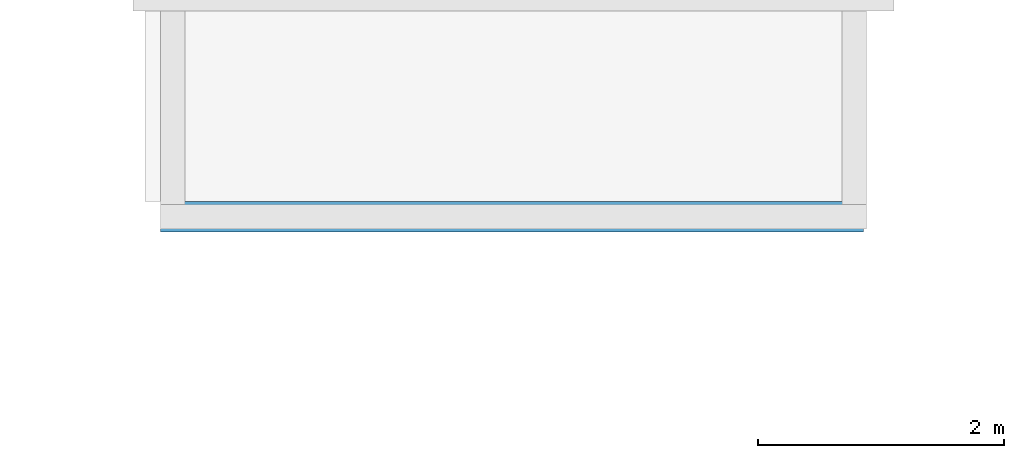
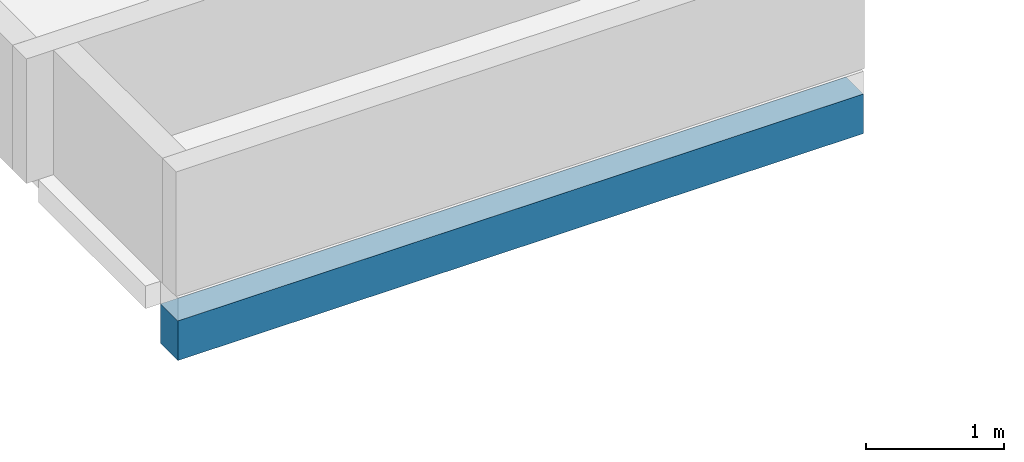
# One storey, part 12 of 41: 1 beam.
"""IFC4 building model written with IfcOpenShell, lengths in metres."""

from ifc_helpers import new_model, si_unit, direction, frame, origin, origin_2d, place, context, subcontext, project, spatial, rectangle, extrude, material, material_profile, profile_set, type_object, element, save


model = new_model("IFC4")

# Units and contexts
model_context = context("Model", 3, precision=1e-05, world=origin(), true_north=direction((0.0, 1.0)))
body_context = subcontext(model_context, "Body", "Model", "MODEL_VIEW")
ifc_project = project(units=[si_unit("LENGTHUNIT", "METRE"), si_unit("AREAUNIT", "SQUARE_METRE"), si_unit("VOLUMEUNIT", "CUBIC_METRE"), si_unit("PLANEANGLEUNIT", "RADIAN"), si_unit("MASSUNIT", "GRAM", prefix="KILO")], contexts=[model_context])

# Site, building, storey
site_placement = place(None, origin())
site = spatial("IfcSite", under=ifc_project, at=site_placement, CompositionType="ELEMENT")
building_placement = place(site_placement, origin())
building = spatial("IfcBuilding", under=site, at=building_placement, Name="Ridgestep Commons", CompositionType="ELEMENT")
storey_placement = place(building_placement, frame((0.0, 0.0, 39.0)))
storey = spatial("IfcBuildingStorey", under=building, at=storey_placement, Name="L13", CompositionType="ELEMENT", Elevation=39.0)

# Beam
ifc_material = material(Name="Precast concrete C40/50", Category="concrete")
ifc_material_profile = material_profile(ifc_material, rectangle(XDim=0.25, YDim=0.35009765625, at=origin_2d()), Name="PC 250x350")
ifc_profile_set = profile_set([ifc_material_profile], Name="Precast concrete C40/50")
beam_type = type_object("IfcBeamType", Name="Loggia edge beam 250 x 350", PredefinedType="SPANDREL", material=ifc_profile_set)
beam_placement = place(storey_placement, frame((224.925048828125, 66.125, -0.375), z_axis=(1.0, 0.0, 0.0), x_axis=(0.0, 1.0, 0.0)))
element("IfcBeam", 1, at=beam_placement, inside=storey, type_object=beam_type, Name="Loggia edge beam C5C L13", PredefinedType="SPANDREL", context=body_context, shape_type="SweptSolid", body=[
    extrude(rectangle(XDim=0.25, YDim=0.35009765625, at=origin_2d()), origin(), (0.0, 0.0, 1.0), 5.724853515625),
])

save(model, "model.ifc")
